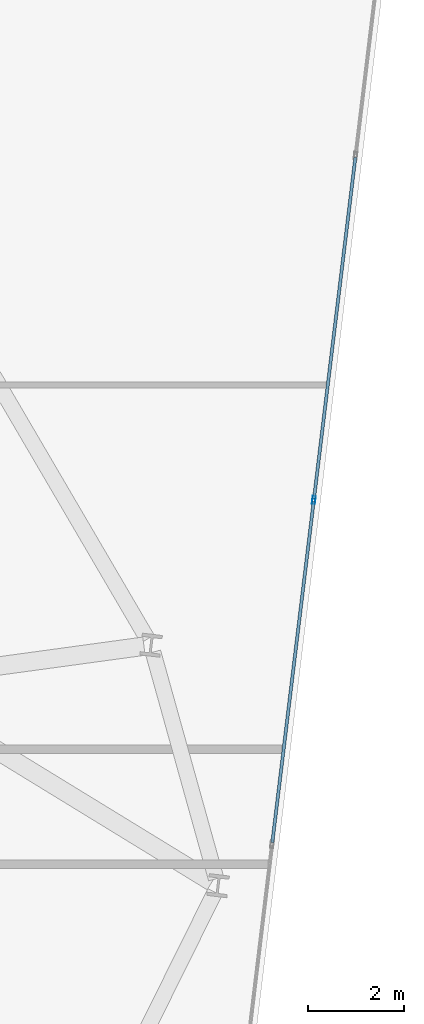
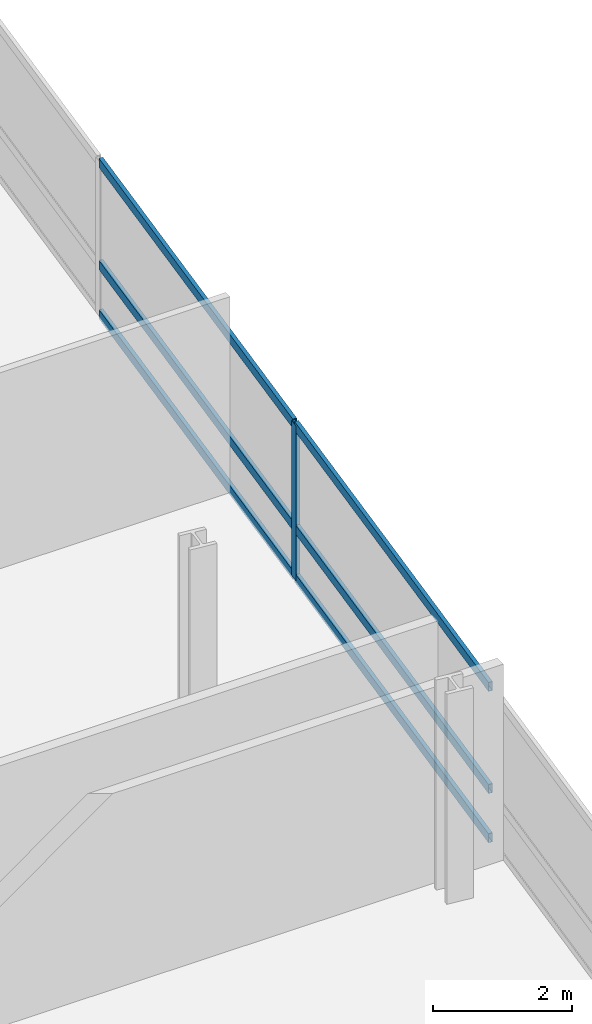
# One storey, part 16 of 26: 7 members, 1 element without a shape of its own.
"""IFC4 building model written with IfcOpenShell, lengths in metres."""

from ifc_helpers import new_model, si_unit, direction, frame, origin, origin_2d, place, context, subcontext, project, spatial, hollow_rectangle, extrude, material, layer, layer_set, material_profile, profile_set, type_object, element, aggregate, save


model = new_model("IFC4")

# Units and contexts
model_context = context("Model", 3, precision=1e-05, world=origin(), true_north=direction((0.0, 1.0)))
body_context = subcontext(model_context, "Body", "Model", "MODEL_VIEW")
ifc_project = project(units=[si_unit("LENGTHUNIT", "METRE"), si_unit("AREAUNIT", "SQUARE_METRE"), si_unit("VOLUMEUNIT", "CUBIC_METRE"), si_unit("PLANEANGLEUNIT", "RADIAN"), si_unit("MASSUNIT", "GRAM", prefix="KILO")], contexts=[model_context])

# Site, building, storey
site_placement = place(None, origin())
site = spatial("IfcSite", under=ifc_project, at=site_placement, CompositionType="ELEMENT")
building_placement = place(site_placement, origin())
building = spatial("IfcBuilding", under=site, at=building_placement, Name="Varnelok Gate Tower", CompositionType="ELEMENT")
storey_placement = place(building_placement, frame((0.0, 0.0, 151.300048828125)))
storey = spatial("IfcBuildingStorey", under=building, at=storey_placement, Name="L38", CompositionType="ELEMENT", Elevation=151.300048828125)

# Curtain wall, members
ifc_material = material(Name="Anodized Aluminum Alloy 6063-T6", Category="aluminium")
ifc_layer = layer(ifc_material, 0.179931640625)
ifc_layer_set = layer_set([ifc_layer], Name="Anodized Aluminum Alloy 6063-T6")
curtain_wall_type = type_object("IfcCurtainWallType", Name="CW3-HOTEL-VISION", PredefinedType="USERDEFINED", material=ifc_layer_set)
curtain_wall_placement = place(storey_placement, origin())
curtain_wall = element("IfcCurtainWall", 1, at=curtain_wall_placement, inside=storey, type_object=curtain_wall_type, Name="L38 East End Vision Curtain Wall", ObjectType="UNITISED CURTAIN WALL", PredefinedType="USERDEFINED")
ifc_material_profile_1 = material_profile(ifc_material, hollow_rectangle(XDim=0.06494140625, YDim=0.159912109375, WallThickness=0.00390625, at=origin_2d()), Name="ALU160X65X4")
ifc_profile_set_1 = profile_set([ifc_material_profile_1], Name="Anodized Aluminum Alloy 6063-T6")
member_type_1 = type_object("IfcMemberType", Name="CW-MULL-160", PredefinedType="MULLION", material=ifc_profile_set_1)
member_1_placement = place(storey_placement, frame((76.423828125, 24.413818359375, 0.0), z_axis=(0.0, 0.0, 1.0), x_axis=(0.99273188146, -0.120347046212, 0.0)))
member_1 = element("IfcMember", 2, at=member_1_placement, type_object=member_type_1, Name="CW3 mullion 3", PredefinedType="MULLION", context=body_context, shape_type="SweptSolid", body=[
    extrude(hollow_rectangle(XDim=0.06494140625, YDim=0.159912109375, WallThickness=0.00390625, at=origin_2d()), origin(), (0.0, 0.0, 1.0), 2.72998046875),
])
ifc_material_profile_2 = material_profile(ifc_material, hollow_rectangle(XDim=0.06494140625, YDim=0.159912109375, WallThickness=0.00390625, at=origin_2d()), Name="ALU160X65X4")
ifc_profile_set_2 = profile_set([ifc_material_profile_2], Name="Anodized Aluminum Alloy 6063-T6")
member_type_2 = type_object("IfcMemberType", Name="CW-TRAN-160", PredefinedType="USERDEFINED", material=ifc_profile_set_2)
member_2_placement = place(storey_placement, frame((77.286376953125, 31.529296875, 0.032470703125), z_axis=(-0.120340564253, -0.992732667235, 0.0), x_axis=(0.992732667235, -0.120340564253, 0.0)))
member_2 = element("IfcMember", 3, at=member_2_placement, type_object=member_type_2, Name="CW3 transom 2.1", ObjectType="TRANSOM", PredefinedType="USERDEFINED", context=body_context, shape_type="SweptSolid", body=[
    extrude(hollow_rectangle(XDim=0.06494140625, YDim=0.159912109375, WallThickness=0.00390625, at=origin_2d()), origin(), (0.0, 0.0, 1.0), 7.135009765625),
])
member_3_placement = place(storey_placement, frame((77.286376953125, 31.529296875, 0.89990234375), z_axis=(-0.120340564253, -0.992732667235, 0.0), x_axis=(0.992732667235, -0.120340564253, 0.0)))
member_3 = element("IfcMember", 4, at=member_3_placement, type_object=member_type_2, Name="CW3 transom 2.2", ObjectType="TRANSOM", PredefinedType="USERDEFINED", context=body_context, shape_type="SweptSolid", body=[
    extrude(hollow_rectangle(XDim=0.06494140625, YDim=0.159912109375, WallThickness=0.00390625, at=origin_2d()), origin(), (0.0, 0.0, 1.0), 7.135009765625),
])
member_4_placement = place(storey_placement, frame((77.286376953125, 31.529296875, 2.697509765625), z_axis=(-0.120340564253, -0.992732667235, 0.0), x_axis=(0.992732667235, -0.120340564253, 0.0)))
member_4 = element("IfcMember", 5, at=member_4_placement, type_object=member_type_2, Name="CW3 transom 2.3", ObjectType="TRANSOM", PredefinedType="USERDEFINED", context=body_context, shape_type="SweptSolid", body=[
    extrude(hollow_rectangle(XDim=0.06494140625, YDim=0.159912109375, WallThickness=0.00390625, at=origin_2d()), origin(), (0.0, 0.0, 1.0), 7.135009765625),
])
member_5_placement = place(storey_placement, frame((76.419921875, 24.381591796875, 0.032470703125), z_axis=(-0.120340564253, -0.992732667235, 0.0), x_axis=(0.992732667235, -0.120340564253, 0.0)))
member_5 = element("IfcMember", 6, at=member_5_placement, type_object=member_type_2, Name="CW3 transom 3.1", ObjectType="TRANSOM", PredefinedType="USERDEFINED", context=body_context, shape_type="SweptSolid", body=[
    extrude(hollow_rectangle(XDim=0.06494140625, YDim=0.159912109375, WallThickness=0.00390625, at=origin_2d()), origin(), (0.0, 0.0, 1.0), 7.135009765625),
])
member_6_placement = place(storey_placement, frame((76.419921875, 24.381591796875, 0.89990234375), z_axis=(-0.120340564253, -0.992732667235, 0.0), x_axis=(0.992732667235, -0.120340564253, 0.0)))
member_6 = element("IfcMember", 7, at=member_6_placement, type_object=member_type_2, Name="CW3 transom 3.2", ObjectType="TRANSOM", PredefinedType="USERDEFINED", context=body_context, shape_type="SweptSolid", body=[
    extrude(hollow_rectangle(XDim=0.06494140625, YDim=0.159912109375, WallThickness=0.00390625, at=origin_2d()), origin(), (0.0, 0.0, 1.0), 7.135009765625),
])
member_7_placement = place(storey_placement, frame((76.419921875, 24.381591796875, 2.697509765625), z_axis=(-0.120340564253, -0.992732667235, 0.0), x_axis=(0.992732667235, -0.120340564253, 0.0)))
member_7 = element("IfcMember", 8, at=member_7_placement, type_object=member_type_2, Name="CW3 transom 3.3", ObjectType="TRANSOM", PredefinedType="USERDEFINED", context=body_context, shape_type="SweptSolid", body=[
    extrude(hollow_rectangle(XDim=0.06494140625, YDim=0.159912109375, WallThickness=0.00390625, at=origin_2d()), origin(), (0.0, 0.0, 1.0), 7.135009765625),
])
aggregate(curtain_wall, [member_1, member_2, member_3, member_4, member_5, member_6, member_7])

save(model, "model.ifc")
